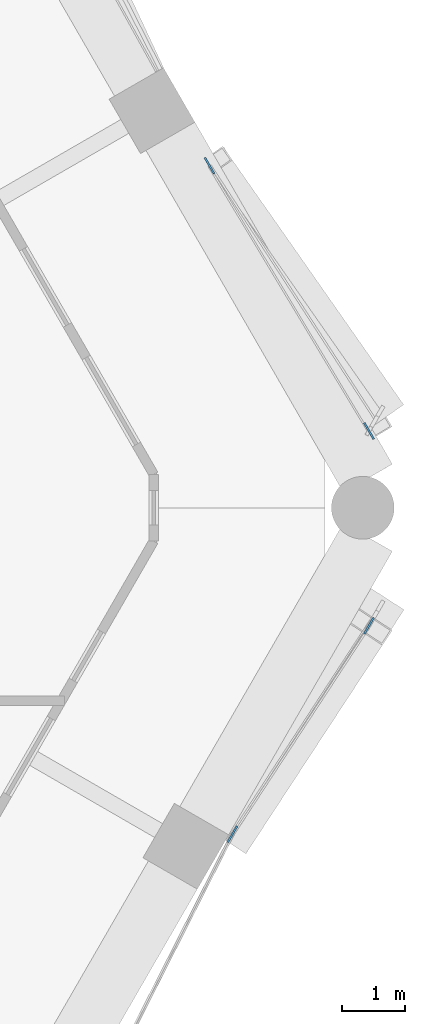
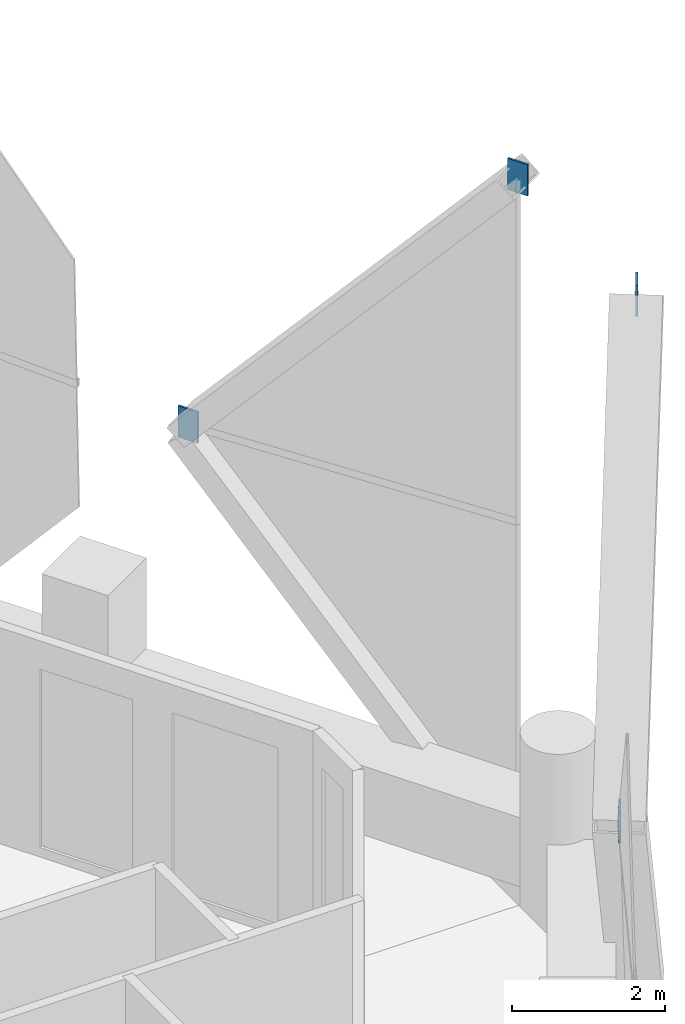
# One storey, part 12 of 13: 4 discrete accessories.
"""IFC4 building model written with IfcOpenShell, lengths in metres."""

from ifc_helpers import new_model, si_unit, direction, frame, origin, origin_2d, place, context, subcontext, project, spatial, rectangle, extrude, material, layer, layer_set, type_object, element, save


model = new_model("IFC4")

# Units and contexts
model_context = context("Model", 3, precision=1e-05, world=origin(), true_north=direction((0.0, 1.0)))
body_context = subcontext(model_context, "Body", "Model", "MODEL_VIEW")
ifc_project = project(units=[si_unit("LENGTHUNIT", "METRE"), si_unit("AREAUNIT", "SQUARE_METRE"), si_unit("VOLUMEUNIT", "CUBIC_METRE"), si_unit("PLANEANGLEUNIT", "RADIAN"), si_unit("MASSUNIT", "GRAM", prefix="KILO")], contexts=[model_context])

# Site, building, storey
site_placement = place(None, origin())
site = spatial("IfcSite", under=ifc_project, at=site_placement, CompositionType="ELEMENT")
building_placement = place(site_placement, origin())
building = spatial("IfcBuilding", under=site, at=building_placement, Name="Ostrander Bayou Hotel Tower", CompositionType="ELEMENT")
storey_placement = place(building_placement, frame((0.0, 0.0, 187.0)))
storey = spatial("IfcBuildingStorey", under=building, at=storey_placement, Name="L46", CompositionType="ELEMENT", Elevation=187.0)

# Discrete accessories
ifc_material = material(Name="Steel ASTM A572 Gr 50", Category="steel")
ifc_layer = layer(ifc_material, 0.030029296875)
ifc_layer_set = layer_set([ifc_layer], Name="GP1 gusset plate 30 mm")
discrete_accessory_type = type_object("IfcDiscreteAccessoryType", Name="GP1 gusset plate 30 mm", PredefinedType="BRACKET", material=ifc_layer_set)
for number, where, z_axis, x_axis, name in (
    (1, (18.400146484375, -5.82470703125, 4.77490234375), (0.0, 0.0, 1.0), (0.5, 0.866025403784, 0.0), "GP1 gusset plate lat 305"),
    (2, (20.576416015625, -2.500732421875, 10.39990234375), (0.0, 0.0, 1.0), (0.5, 0.866025403784, 0.0), "GP1 gusset plate lat 306"),
    (3, (18.035400390625, 4.82861328125, 4.77490234375), (0.0, 0.0, 1.0), (-0.5, 0.866025403784, 0.0), "GP1 gusset plate lat 307"),
    (4, (20.576416015625, 0.602294921875, 10.39990234375), (0.0, 0.0, 1.0), (-0.5, 0.866025403784, 0.0), "GP1 gusset plate lat 308"),
):
    element("IfcDiscreteAccessory", number, at=place(storey_placement, frame(where, z_axis=z_axis, x_axis=x_axis)), inside=storey, type_object=discrete_accessory_type, Name=name, PredefinedType="BRACKET", context=body_context, shape_type="SweptSolid", body=[
        extrude(rectangle(XDim=0.300048828125, YDim=0.030029296875, at=origin_2d()), origin(), (0.0, 0.0, 1.0), 0.5),
    ])

save(model, "model.ifc")
